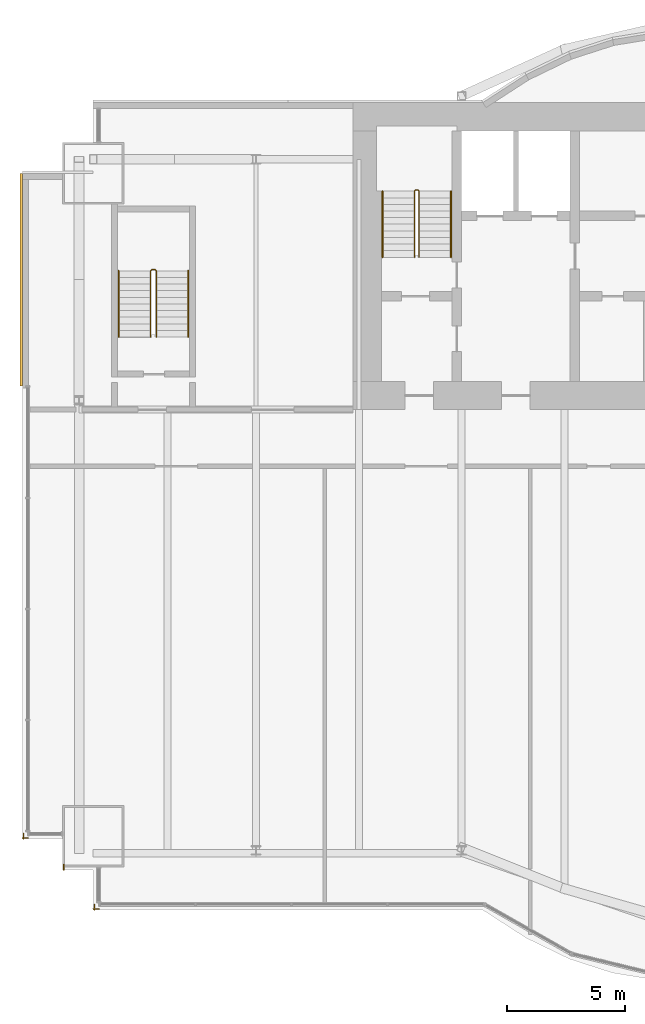
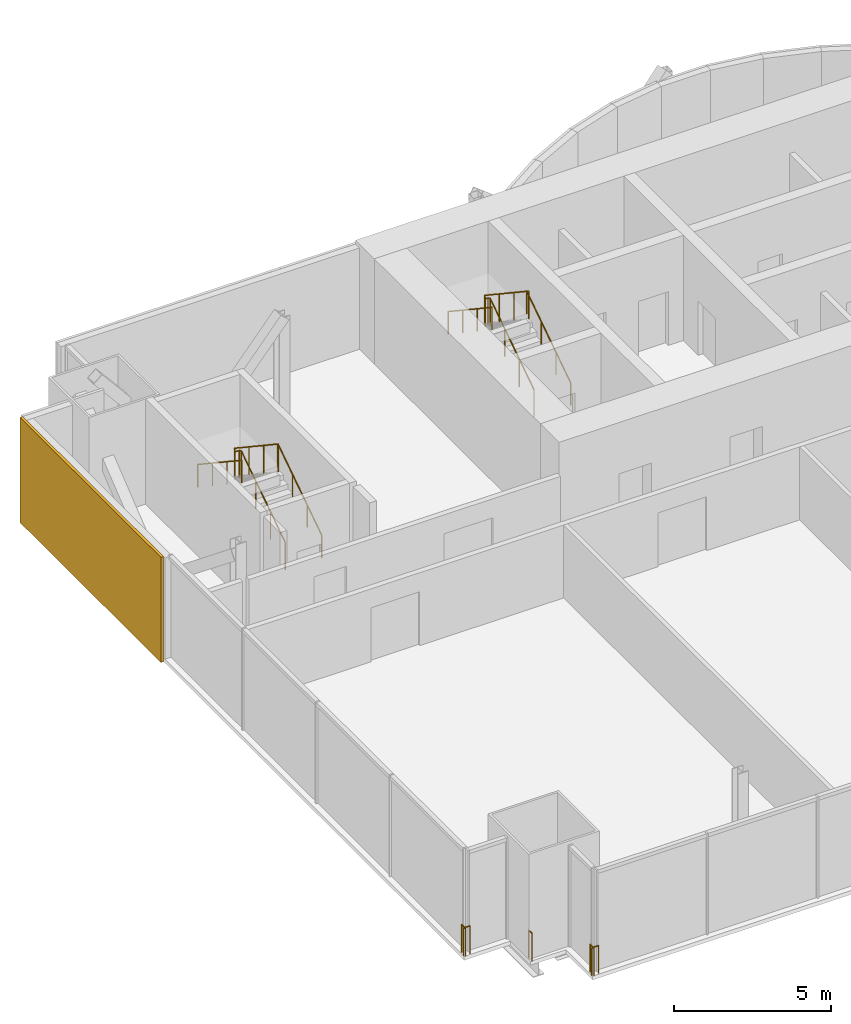
# One storey, part 19 of 21: 9 railings, 1 covering.
"""IFC4 building model written with IfcOpenShell, lengths in metres."""

from ifc_helpers import new_model, si_unit, direction, frame, origin, origin_2d, place, context, subcontext, project, spatial, rectangle, circle, extrude, material, layer, layer_set, type_object, element, save


model = new_model("IFC4")

# Units and contexts
model_context = context("Model", 3, precision=1e-05, world=origin(), true_north=direction((0.0, 1.0)))
body_context = subcontext(model_context, "Body", "Model", "MODEL_VIEW")
ifc_project = project(units=[si_unit("LENGTHUNIT", "METRE"), si_unit("AREAUNIT", "SQUARE_METRE"), si_unit("VOLUMEUNIT", "CUBIC_METRE"), si_unit("PLANEANGLEUNIT", "RADIAN"), si_unit("MASSUNIT", "GRAM", prefix="KILO")], contexts=[model_context])

# Site, building, storey
site_placement = place(None, origin())
site = spatial("IfcSite", under=ifc_project, at=site_placement, CompositionType="ELEMENT")
building_placement = place(site_placement, origin())
building = spatial("IfcBuilding", under=site, at=building_placement, Name="Bicima Exchange Tower", CompositionType="ELEMENT")
storey_placement = place(building_placement, frame((0.0, 0.0, 173.199951171875)))
storey = spatial("IfcBuildingStorey", under=building, at=storey_placement, Name="L38", CompositionType="ELEMENT", Elevation=173.199951171875)

# Covering
ifc_material_1 = material(Name="Bronze metal cladding")
ifc_layer_1 = layer(ifc_material_1, 0.004)
ifc_material_2 = material(Name="Ventilated cavity")
ifc_layer_2 = layer(ifc_material_2, 0.06)
ifc_material_3 = material(Name="Galvanised steel rail and mineral wool", Category="steel")
ifc_layer_3 = layer(ifc_material_3, 0.036)
ifc_layer_set = layer_set([ifc_layer_1, ifc_layer_2, ifc_layer_3], Name="Ventilated cavity")
covering_type = type_object("IfcCoveringType", Name="Bronze metal cladding panel 100", PredefinedType="CLADDING", material=ifc_layer_set)
covering_placement = place(storey_placement, frame((-36.050048828125, -7.5, -0.14990234375), z_axis=(0.0, 0.0, 1.0), x_axis=(0.0, -1.0, 0.0)))
element("IfcCovering", 1, at=covering_placement, inside=storey, type_object=covering_type, Name="Bronze cladding L38 23.1", PredefinedType="CLADDING", context=body_context, shape_type="SweptSolid", body=[
    extrude(rectangle(XDim=9.0, YDim=0.10009765625, at=origin_2d()), origin(), (0.0, 0.0, 1.0), 4.10009765625),
])

# Railings
ifc_material_4 = material(Name="Stainless steel and bonded safety glass", Category="steel")
railing_type_1 = type_object("IfcRailingType", Name="Edge guard 1100", PredefinedType="GUARDRAIL", material=ifc_material_4)
railing_1_placement = place(storey_placement, frame((-35.757080078125, -31.14208984375, 0.0)))
element("IfcRailing", 2, at=railing_1_placement, inside=storey, type_object=railing_type_1, Name="Edge guard L38 191", PredefinedType="GUARDRAIL", context=body_context, shape_type="SweptSolid", body=[
    extrude(circle(Radius=0.02392578125, at=origin_2d()), frame((0.0, 0.0, 1.076171875), z_axis=(-1.0, 0.0, 0.0), x_axis=(0.0, -1.0, 0.0)), (0.0, 0.0, 1.0), 0.242919921875),
    extrude(circle(Radius=0.02392578125, at=origin_2d()), frame((-0.242919921875, 0.0, 1.076171875), z_axis=(0.708833529934, -0.705375805398, 0.0), x_axis=(0.705375805398, 0.708833529934, 0.0)), (0.0, 0.0, 1.0), 0.070556640625),
    extrude(circle(Radius=0.02392578125, at=origin_2d()), frame((-0.19287109375, -0.0498046875, 1.076171875), z_axis=(0.0, 1.0, 0.0), x_axis=(-1.0, 0.0, 0.0)), (0.0, 0.0, 1.0), 0.248779296875),
    extrude(circle(Radius=0.02099609375, at=origin_2d()), origin(), (0.0, 0.0, 1.0), 1.052001953125),
    extrude(circle(Radius=0.02099609375, at=origin_2d()), frame((-0.242919921875, 0.0, 0.0)), (0.0, 0.0, 1.0), 1.052001953125),
    extrude(circle(Radius=0.02099609375, at=origin_2d()), frame((-0.19287109375, -0.0498046875, 0.0)), (0.0, 0.0, 1.0), 1.052001953125),
    extrude(circle(Radius=0.02099609375, at=origin_2d()), frame((-0.19287109375, 0.198974609375, 0.0)), (0.0, 0.0, 1.0), 1.052001953125),
])
railing_2_placement = place(storey_placement, frame((-32.75, -34.14208984375, 0.0)))
element("IfcRailing", 3, at=railing_2_placement, inside=storey, type_object=railing_type_1, Name="Edge guard L38 195", PredefinedType="GUARDRAIL", context=body_context, shape_type="SweptSolid", body=[
    extrude(circle(Radius=0.02392578125, at=origin_2d()), frame((0.0, 0.0, 1.076171875), z_axis=(-1.0, 0.0, 0.0), x_axis=(0.0, -1.0, 0.0)), (0.0, 0.0, 1.0), 0.25),
    extrude(circle(Radius=0.02392578125, at=origin_2d()), frame((-0.25, 0.0, 1.076171875), z_axis=(0.708833529934, -0.705375805398, 0.0), x_axis=(0.705375805398, 0.708833529934, 0.0)), (0.0, 0.0, 1.0), 0.070556640625),
    extrude(circle(Radius=0.02392578125, at=origin_2d()), frame((-0.199951171875, -0.0498046875, 1.076171875), z_axis=(0.0, 1.0, 0.0), x_axis=(-1.0, 0.0, 0.0)), (0.0, 0.0, 1.0), 0.242919921875),
    extrude(circle(Radius=0.02099609375, at=origin_2d()), origin(), (0.0, 0.0, 1.0), 1.052001953125),
    extrude(circle(Radius=0.02099609375, at=origin_2d()), frame((-0.25, 0.0, 0.0)), (0.0, 0.0, 1.0), 1.052001953125),
    extrude(circle(Radius=0.02099609375, at=origin_2d()), frame((-0.199951171875, -0.0498046875, 0.0)), (0.0, 0.0, 1.0), 1.052001953125),
    extrude(circle(Radius=0.02099609375, at=origin_2d()), frame((-0.199951171875, 0.193115234375, 0.0)), (0.0, 0.0, 1.0), 1.052001953125),
])
railing_3_placement = place(storey_placement, frame((-34.25, -32.491943359375, 0.0)))
element("IfcRailing", 4, at=railing_3_placement, inside=storey, type_object=railing_type_1, Name="Edge guard L38 196", PredefinedType="GUARDRAIL", context=body_context, shape_type="SweptSolid", body=[
    extrude(circle(Radius=0.02392578125, at=origin_2d()), frame((0.0, 0.0, 1.076171875), z_axis=(0.0, 1.0, 0.0), x_axis=(-1.0, 0.0, 0.0)), (0.0, 0.0, 1.0), 0.217041015625),
    extrude(circle(Radius=0.02099609375, at=origin_2d()), origin(), (0.0, 0.0, 1.0), 1.052001953125),
    extrude(circle(Radius=0.02099609375, at=origin_2d()), frame((0.0, 0.217041015625, 0.0)), (0.0, 0.0, 1.0), 1.052001953125),
])
ifc_material_5 = material(Name="Stainless steel", Category="steel")
railing_type_2 = type_object("IfcRailingType", Name="Stair guard 1100", PredefinedType="GUARDRAIL", material=ifc_material_5)
railing_4_placement = place(storey_placement, frame((-19.199951171875, -6.550048828125, 0.1865234375)))
element("IfcRailing", 5, at=railing_4_placement, inside=storey, type_object=railing_type_2, Name="L38 ST-W stair guard 1", PredefinedType="GUARDRAIL", context=body_context, shape_type="SweptSolid", body=[
    extrude(circle(Radius=0.02392578125, at=origin_2d()), frame((0.0, 0.0, 1.076171875), z_axis=(0.0, 0.832485552168, 0.554046753832), x_axis=(-1.0, 0.0, 0.0)), (0.0, 0.0, 1.0), 3.363525390625),
    extrude(circle(Radius=0.02392578125, at=origin_2d()), frame((0.0, 2.800048828125, 2.939453125), z_axis=(-0.707106781187, 0.707106781187, 0.0), x_axis=(-0.707106781187, -0.707106781187, 0.0)), (0.0, 0.0, 1.0), 0.07080078125),
    extrude(circle(Radius=0.02392578125, at=origin_2d()), frame((-0.050048828125, 2.85009765625, 2.939453125), z_axis=(-1.0, 0.0, 0.0), x_axis=(0.0, -1.0, 0.0)), (0.0, 0.0, 1.0), 0.10009765625),
    extrude(circle(Radius=0.02392578125, at=origin_2d()), frame((-0.150146484375, 2.85009765625, 2.939453125), z_axis=(-0.250008635948, -0.251234168477, 0.935081319748), x_axis=(0.708833529934, -0.705375805398, 0.0)), (0.0, 0.0, 1.0), 0.19921875),
    extrude(circle(Radius=0.02392578125, at=origin_2d()), frame((-0.199951171875, 2.800048828125, 3.1259765625), z_axis=(0.0, -0.832452072856, 0.554097055034), x_axis=(1.0, 0.0, 0.0)), (0.0, 0.0, 1.0), 3.363525390625),
    extrude(circle(Radius=0.02099609375, at=origin_2d()), origin(), (0.0, 0.0, 1.0), 1.052001953125),
    extrude(circle(Radius=0.02099609375, at=origin_2d()), frame((0.0, 0.933349609375, 0.62109375)), (0.0, 0.0, 1.0), 1.052001953125),
    extrude(circle(Radius=0.02099609375, at=origin_2d()), frame((0.0, 1.86669921875, 1.242431640625)), (0.0, 0.0, 1.0), 1.052001953125),
    extrude(circle(Radius=0.02099609375, at=origin_2d()), frame((0.0, 2.800048828125, 1.863525390625)), (0.0, 0.0, 1.0), 1.052001953125),
    extrude(circle(Radius=0.02099609375, at=origin_2d()), frame((-0.050048828125, 2.85009765625, 1.863525390625)), (0.0, 0.0, 1.0), 1.052001953125),
    extrude(circle(Radius=0.02099609375, at=origin_2d()), frame((-0.150146484375, 2.85009765625, 1.863525390625)), (0.0, 0.0, 1.0), 1.052001953125),
    extrude(circle(Radius=0.02099609375, at=origin_2d()), frame((-0.199951171875, 2.800048828125, 2.0498046875)), (0.0, 0.0, 1.0), 1.052001953125),
    extrude(circle(Radius=0.02099609375, at=origin_2d()), frame((-0.199951171875, 1.86669921875, 2.671142578125)), (0.0, 0.0, 1.0), 1.052001953125),
    extrude(circle(Radius=0.02099609375, at=origin_2d()), frame((-0.199951171875, 0.933349609375, 3.292236328125)), (0.0, 0.0, 1.0), 1.052001953125),
    extrude(circle(Radius=0.02099609375, at=origin_2d()), frame((-0.199951171875, 0.0, 3.91357421875)), (0.0, 0.0, 1.0), 1.052001953125),
])
railing_5_placement = place(storey_placement, frame((-30.324951171875, -9.925048828125, 0.1865234375)))
element("IfcRailing", 6, at=railing_5_placement, inside=storey, type_object=railing_type_2, Name="L38 ST-WW stair guard 1", PredefinedType="GUARDRAIL", context=body_context, shape_type="SweptSolid", body=[
    extrude(circle(Radius=0.02392578125, at=origin_2d()), frame((0.0, 0.0, 1.076171875), z_axis=(0.0, 0.832485552168, 0.554046753832), x_axis=(-1.0, 0.0, 0.0)), (0.0, 0.0, 1.0), 3.363525390625),
    extrude(circle(Radius=0.02392578125, at=origin_2d()), frame((0.0, 2.800048828125, 2.939453125), z_axis=(-0.707106781187, 0.707106781187, 0.0), x_axis=(-0.707106781187, -0.707106781187, 0.0)), (0.0, 0.0, 1.0), 0.07080078125),
    extrude(circle(Radius=0.02392578125, at=origin_2d()), frame((-0.050048828125, 2.85009765625, 2.939453125), z_axis=(-1.0, 0.0, 0.0), x_axis=(0.0, -1.0, 0.0)), (0.0, 0.0, 1.0), 0.14990234375),
    extrude(circle(Radius=0.02392578125, at=origin_2d()), frame((-0.199951171875, 2.85009765625, 2.939453125), z_axis=(-0.251157038772, -0.251157038772, 0.934794246747), x_axis=(0.707106781187, -0.707106781187, 0.0)), (0.0, 0.0, 1.0), 0.19921875),
    extrude(circle(Radius=0.02392578125, at=origin_2d()), frame((-0.25, 2.800048828125, 3.1259765625), z_axis=(0.0, -0.832452072856, 0.554097055034), x_axis=(1.0, 0.0, 0.0)), (0.0, 0.0, 1.0), 3.363525390625),
    extrude(circle(Radius=0.02099609375, at=origin_2d()), origin(), (0.0, 0.0, 1.0), 1.052001953125),
    extrude(circle(Radius=0.02099609375, at=origin_2d()), frame((0.0, 0.933349609375, 0.62109375)), (0.0, 0.0, 1.0), 1.052001953125),
    extrude(circle(Radius=0.02099609375, at=origin_2d()), frame((0.0, 1.86669921875, 1.242431640625)), (0.0, 0.0, 1.0), 1.052001953125),
    extrude(circle(Radius=0.02099609375, at=origin_2d()), frame((0.0, 2.800048828125, 1.863525390625)), (0.0, 0.0, 1.0), 1.052001953125),
    extrude(circle(Radius=0.02099609375, at=origin_2d()), frame((-0.050048828125, 2.85009765625, 1.863525390625)), (0.0, 0.0, 1.0), 1.052001953125),
    extrude(circle(Radius=0.02099609375, at=origin_2d()), frame((-0.199951171875, 2.85009765625, 1.863525390625)), (0.0, 0.0, 1.0), 1.052001953125),
    extrude(circle(Radius=0.02099609375, at=origin_2d()), frame((-0.25, 2.800048828125, 2.0498046875)), (0.0, 0.0, 1.0), 1.052001953125),
    extrude(circle(Radius=0.02099609375, at=origin_2d()), frame((-0.25, 1.86669921875, 2.671142578125)), (0.0, 0.0, 1.0), 1.052001953125),
    extrude(circle(Radius=0.02099609375, at=origin_2d()), frame((-0.25, 0.933349609375, 3.292236328125)), (0.0, 0.0, 1.0), 1.052001953125),
    extrude(circle(Radius=0.02099609375, at=origin_2d()), frame((-0.25, 0.0, 3.91357421875)), (0.0, 0.0, 1.0), 1.052001953125),
])
railing_type_3 = type_object("IfcRailingType", Name="Stair handrail 900", PredefinedType="HANDRAIL", material=ifc_material_5)
railing_6_placement = place(storey_placement, frame((-17.85009765625, -6.550048828125, 0.1865234375)))
element("IfcRailing", 7, at=railing_6_placement, inside=storey, type_object=railing_type_3, Name="L38 ST-W stair handrail 1", PredefinedType="HANDRAIL", context=body_context, shape_type="SweptSolid", body=[
    extrude(circle(Radius=0.02392578125, at=origin_2d()), frame((0.0, 0.0, 0.8759765625), z_axis=(0.0, 0.832485552168, 0.554046753832), x_axis=(-1.0, 0.0, 0.0)), (0.0, 0.0, 1.0), 3.363525390625),
    extrude(circle(Radius=0.02099609375, at=origin_2d()), origin(), (0.0, 0.0, 1.0), 0.851806640625),
    extrude(circle(Radius=0.02099609375, at=origin_2d()), frame((0.0, 0.933349609375, 0.62109375)), (0.0, 0.0, 1.0), 0.851806640625),
    extrude(circle(Radius=0.02099609375, at=origin_2d()), frame((0.0, 1.86669921875, 1.242431640625)), (0.0, 0.0, 1.0), 0.851806640625),
    extrude(circle(Radius=0.02099609375, at=origin_2d()), frame((0.0, 2.800048828125, 1.863525390625)), (0.0, 0.0, 1.0), 0.851806640625),
])
railing_7_placement = place(storey_placement, frame((-20.75, -3.75, 2.27685546875)))
element("IfcRailing", 8, at=railing_7_placement, inside=storey, type_object=railing_type_3, Name="L38 ST-W stair handrail 2", PredefinedType="HANDRAIL", context=body_context, shape_type="SweptSolid", body=[
    extrude(circle(Radius=0.02392578125, at=origin_2d()), frame((0.0, 0.0, 0.8759765625), z_axis=(0.0, -0.832485552168, 0.554046753832), x_axis=(1.0, 0.0, 0.0)), (0.0, 0.0, 1.0), 3.363525390625),
    extrude(circle(Radius=0.02099609375, at=origin_2d()), origin(), (0.0, 0.0, 1.0), 0.851806640625),
    extrude(circle(Radius=0.02099609375, at=origin_2d()), frame((0.0, -0.933349609375, 0.62109375)), (0.0, 0.0, 1.0), 0.851806640625),
    extrude(circle(Radius=0.02099609375, at=origin_2d()), frame((0.0, -1.86669921875, 1.242431640625)), (0.0, 0.0, 1.0), 0.851806640625),
    extrude(circle(Radius=0.02099609375, at=origin_2d()), frame((0.0, -2.800048828125, 1.863525390625)), (0.0, 0.0, 1.0), 0.851806640625),
])
railing_8_placement = place(storey_placement, frame((-28.97509765625, -9.925048828125, 0.1865234375)))
element("IfcRailing", 9, at=railing_8_placement, inside=storey, type_object=railing_type_3, Name="L38 ST-WW stair handrail 1", PredefinedType="HANDRAIL", context=body_context, shape_type="SweptSolid", body=[
    extrude(circle(Radius=0.02392578125, at=origin_2d()), frame((0.0, 0.0, 0.8759765625), z_axis=(0.0, 0.832485552168, 0.554046753832), x_axis=(-1.0, 0.0, 0.0)), (0.0, 0.0, 1.0), 3.363525390625),
    extrude(circle(Radius=0.02099609375, at=origin_2d()), origin(), (0.0, 0.0, 1.0), 0.851806640625),
    extrude(circle(Radius=0.02099609375, at=origin_2d()), frame((0.0, 0.933349609375, 0.62109375)), (0.0, 0.0, 1.0), 0.851806640625),
    extrude(circle(Radius=0.02099609375, at=origin_2d()), frame((0.0, 1.86669921875, 1.242431640625)), (0.0, 0.0, 1.0), 0.851806640625),
    extrude(circle(Radius=0.02099609375, at=origin_2d()), frame((0.0, 2.800048828125, 1.863525390625)), (0.0, 0.0, 1.0), 0.851806640625),
])
railing_9_placement = place(storey_placement, frame((-31.925048828125, -7.125, 2.27685546875)))
element("IfcRailing", 10, at=railing_9_placement, inside=storey, type_object=railing_type_3, Name="L38 ST-WW stair handrail 2", PredefinedType="HANDRAIL", context=body_context, shape_type="SweptSolid", body=[
    extrude(circle(Radius=0.02392578125, at=origin_2d()), frame((0.0, 0.0, 0.8759765625), z_axis=(0.0, -0.832485552168, 0.554046753832), x_axis=(1.0, 0.0, 0.0)), (0.0, 0.0, 1.0), 3.363525390625),
    extrude(circle(Radius=0.02099609375, at=origin_2d()), origin(), (0.0, 0.0, 1.0), 0.851806640625),
    extrude(circle(Radius=0.02099609375, at=origin_2d()), frame((0.0, -0.933349609375, 0.62109375)), (0.0, 0.0, 1.0), 0.851806640625),
    extrude(circle(Radius=0.02099609375, at=origin_2d()), frame((0.0, -1.86669921875, 1.242431640625)), (0.0, 0.0, 1.0), 0.851806640625),
    extrude(circle(Radius=0.02099609375, at=origin_2d()), frame((0.0, -2.800048828125, 1.863525390625)), (0.0, 0.0, 1.0), 0.851806640625),
])

save(model, "model.ifc")
